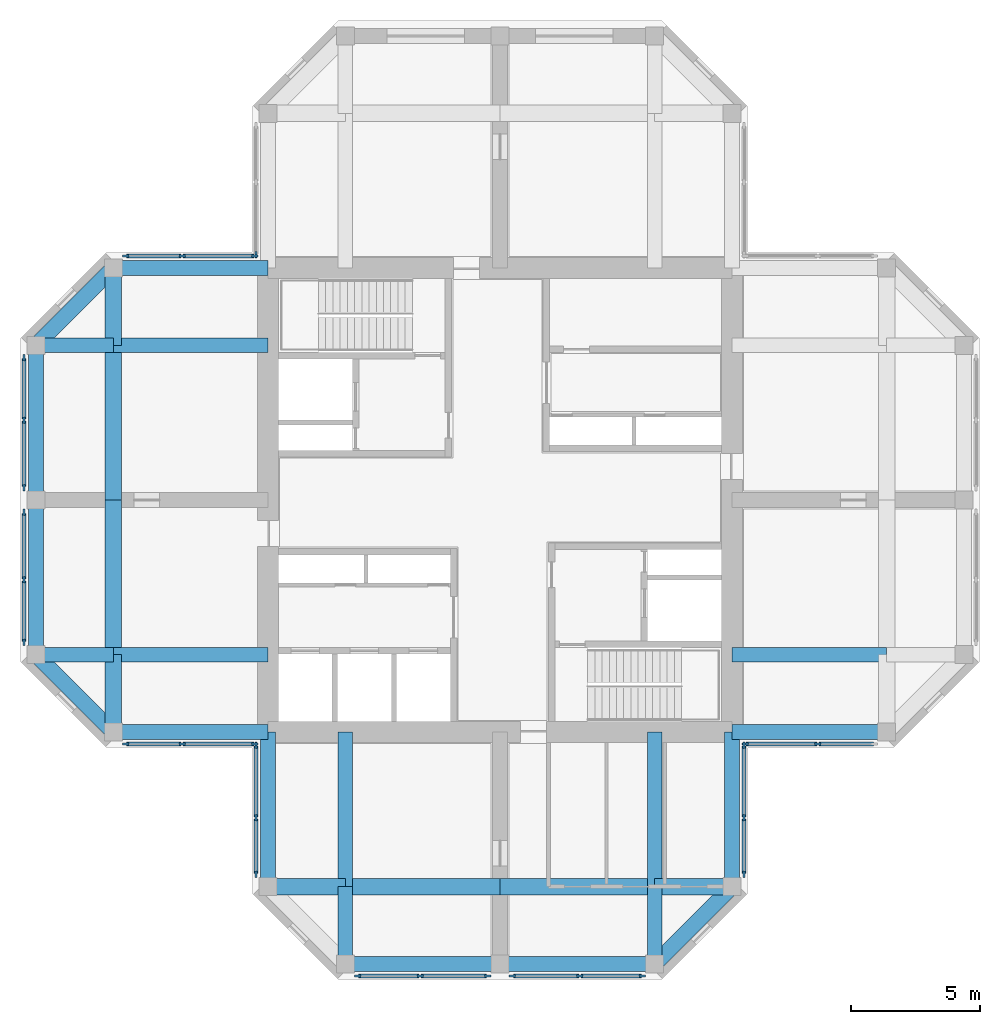
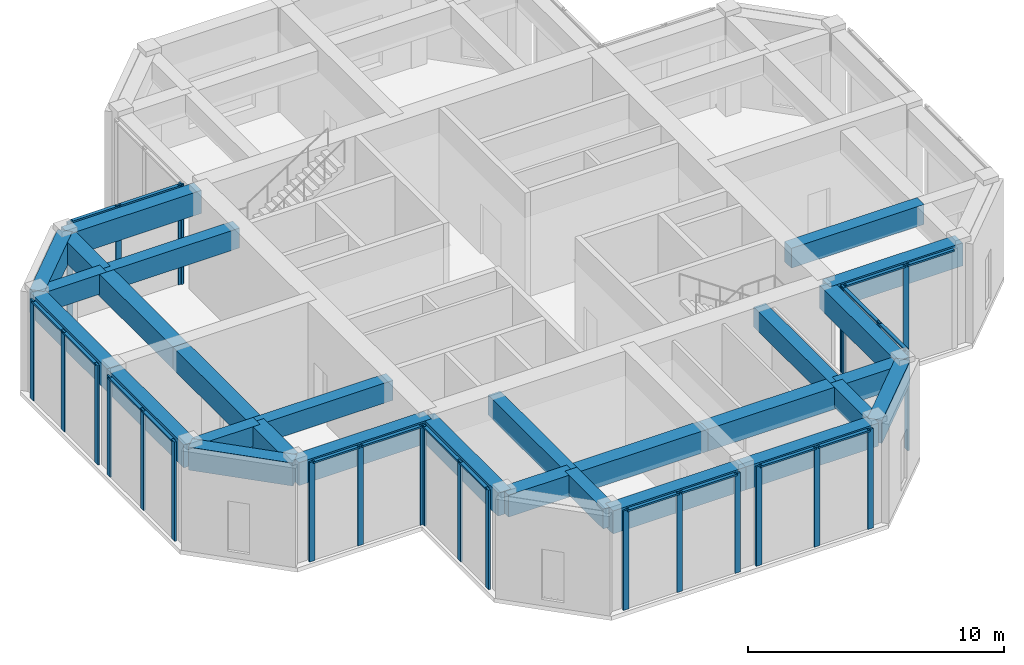
# One storey, part 2 of 8: 45 members, 29 beams, 8 elements without a shape of their own.
"""IFC4 building model written with IfcOpenShell, lengths in metres."""

from ifc_helpers import new_model, si_unit, direction, frame, origin, origin_2d, place, context, subcontext, project, spatial, rectangle, extrude, material, material_profile, profile_set, type_object, element, aggregate, save


model = new_model("IFC4")

# Units and contexts
model_context = context("Model", 3, precision=1e-05, world=origin(), true_north=direction((0.0, 1.0)))
body_context = subcontext(model_context, "Body", "Model", "MODEL_VIEW")
ifc_project = project(units=[si_unit("LENGTHUNIT", "METRE"), si_unit("AREAUNIT", "SQUARE_METRE"), si_unit("VOLUMEUNIT", "CUBIC_METRE"), si_unit("PLANEANGLEUNIT", "RADIAN"), si_unit("MASSUNIT", "GRAM", prefix="KILO")], contexts=[model_context])

# Site, building, storey
site_placement = place(None, origin())
site = spatial("IfcSite", under=ifc_project, at=site_placement, CompositionType="ELEMENT")
building_placement = place(site_placement, origin())
building = spatial("IfcBuilding", under=site, at=building_placement, Name="Torre Cruceta", CompositionType="ELEMENT")
storey_placement = place(building_placement, frame((0.0, 0.0, 288.300048828125)))
storey = spatial("IfcBuildingStorey", under=building, at=storey_placement, Name="L75", CompositionType="ELEMENT", Elevation=288.300048828125)

# Beams
ifc_material_1 = material(Name="Concrete G60 (fck 60 MPa)", Category="concrete")
ifc_material_profile_1 = material_profile(ifc_material_1, rectangle(XDim=0.550048828125, YDim=0.949951171875, at=origin_2d()), Name="RC 550X950")
ifc_profile_set_1 = profile_set([ifc_material_profile_1], Name="Concrete G60 (fck 60 MPa)")
beam_type_1 = type_object("IfcBeamType", Name="COLUMN LINE BEAM RC 550X950", PredefinedType="BEAM", material=ifc_profile_set_1)
for number, where, z_axis, x_axis, name in (
    (1, (9.0, -6.0, 4.27490234375), (1.0, 0.0, 0.0), (0.0, 1.0, 0.0), "LB3 L75 E col- 1"),
    (2, (-6.0, -9.0, 4.27490234375), (0.0, -1.0, 0.0), (1.0, 0.0, 0.0), "LB3 L75 S col- 1"),
):
    element("IfcBeam", number, at=place(storey_placement, frame(where, z_axis=z_axis, x_axis=x_axis)), inside=storey, type_object=beam_type_1, Name=name, PredefinedType="BEAM", context=body_context, shape_type="SweptSolid", body=[
        extrude(rectangle(XDim=0.550048828125, YDim=0.949951171875, at=origin_2d()), origin(), (0.0, 0.0, 1.0), 6.0),
    ])
beam_1_placement = place(storey_placement, frame((-6.0, -15.0, 4.27490234375), z_axis=(0.0, -1.0, 0.0), x_axis=(1.0, 0.0, 0.0)))
element("IfcBeam", 3, at=beam_1_placement, inside=storey, type_object=beam_type_1, Name="LB3 L75 S col- 2", PredefinedType="BEAM", context=body_context, shape_type="SweptSolid", body=[
    extrude(rectangle(XDim=0.550048828125, YDim=0.949951171875, at=origin_2d()), origin(), (0.0, 0.0, 1.0), 3.0),
])
beam_2_placement = place(storey_placement, frame((6.0, -9.0, 4.27490234375), z_axis=(0.0, -1.0, 0.0), x_axis=(1.0, 0.0, 0.0)))
element("IfcBeam", 4, at=beam_2_placement, inside=storey, type_object=beam_type_1, Name="LB3 L75 S col+ 1", PredefinedType="BEAM", context=body_context, shape_type="SweptSolid", body=[
    extrude(rectangle(XDim=0.550048828125, YDim=0.949951171875, at=origin_2d()), origin(), (0.0, 0.0, 1.0), 6.0),
])
beam_3_placement = place(storey_placement, frame((6.0, -15.0, 4.27490234375), z_axis=(0.0, -1.0, 0.0), x_axis=(1.0, 0.0, 0.0)))
element("IfcBeam", 5, at=beam_3_placement, inside=storey, type_object=beam_type_1, Name="LB3 L75 S col+ 2", PredefinedType="BEAM", context=body_context, shape_type="SweptSolid", body=[
    extrude(rectangle(XDim=0.550048828125, YDim=0.949951171875, at=origin_2d()), origin(), (0.0, 0.0, 1.0), 3.0),
])
beam_4_placement = place(storey_placement, frame((-9.0, 6.0, 4.27490234375), z_axis=(-1.0, 0.0, 0.0), x_axis=(0.0, -1.0, 0.0)))
element("IfcBeam", 6, at=beam_4_placement, inside=storey, type_object=beam_type_1, Name="LB3 L75 W col- 1", PredefinedType="BEAM", context=body_context, shape_type="SweptSolid", body=[
    extrude(rectangle(XDim=0.550048828125, YDim=0.949951171875, at=origin_2d()), origin(), (0.0, 0.0, 1.0), 6.0),
])
beam_5_placement = place(storey_placement, frame((-15.0, 6.0, 4.27490234375), z_axis=(-1.0, 0.0, 0.0), x_axis=(0.0, -1.0, 0.0)))
element("IfcBeam", 7, at=beam_5_placement, inside=storey, type_object=beam_type_1, Name="LB3 L75 W col- 2", PredefinedType="BEAM", context=body_context, shape_type="SweptSolid", body=[
    extrude(rectangle(XDim=0.550048828125, YDim=0.949951171875, at=origin_2d()), origin(), (0.0, 0.0, 1.0), 3.0),
])
beam_6_placement = place(storey_placement, frame((-9.0, -6.0, 4.27490234375), z_axis=(-1.0, 0.0, 0.0), x_axis=(0.0, -1.0, 0.0)))
element("IfcBeam", 8, at=beam_6_placement, inside=storey, type_object=beam_type_1, Name="LB3 L75 W col+ 1", PredefinedType="BEAM", context=body_context, shape_type="SweptSolid", body=[
    extrude(rectangle(XDim=0.550048828125, YDim=0.949951171875, at=origin_2d()), origin(), (0.0, 0.0, 1.0), 6.0),
])
beam_7_placement = place(storey_placement, frame((-15.0, -6.0, 4.27490234375), z_axis=(-1.0, 0.0, 0.0), x_axis=(0.0, -1.0, 0.0)))
element("IfcBeam", 9, at=beam_7_placement, inside=storey, type_object=beam_type_1, Name="LB3 L75 W col+ 2", PredefinedType="BEAM", context=body_context, shape_type="SweptSolid", body=[
    extrude(rectangle(XDim=0.550048828125, YDim=0.949951171875, at=origin_2d()), origin(), (0.0, 0.0, 1.0), 3.0),
])
ifc_material_2 = material(Name="Concrete G60 (fck 60 MPa)", Category="concrete")
ifc_material_profile_2 = material_profile(ifc_material_2, rectangle(XDim=0.64990234375, YDim=1.050048828125, at=origin_2d()), Name="RC 650X1050")
ifc_profile_set_2 = profile_set([ifc_material_profile_2], Name="Concrete G60 (fck 60 MPa)")
beam_type_2 = type_object("IfcBeamType", Name="CROSS BEAM RC 650X1050", PredefinedType="BEAM", material=ifc_profile_set_2)
beam_8_placement = place(storey_placement, frame((-9.0, -15.0, 4.224853515625), z_axis=(1.0, 0.0, 0.0), x_axis=(0.0, 1.0, 0.0)))
element("IfcBeam", 10, at=beam_8_placement, inside=storey, type_object=beam_type_2, Name="GB3 L75 S cross15 1", PredefinedType="BEAM", context=body_context, shape_type="SweptSolid", body=[
    extrude(rectangle(XDim=0.64990234375, YDim=1.050048828125, at=origin_2d()), origin(), (0.0, 0.0, 1.0), 3.0),
])
for number, where, z_axis, x_axis, name in (
    (11, (-6.0, -15.0, 4.224853515625), (1.0, 0.0, 0.0), (0.0, 1.0, 0.0), "GB3 L75 S cross15 2"),
    (12, (0.0, -15.0, 4.224853515625), (1.0, 0.0, 0.0), (0.0, 1.0, 0.0), "GB3 L75 S cross15 3"),
):
    element("IfcBeam", number, at=place(storey_placement, frame(where, z_axis=z_axis, x_axis=x_axis)), inside=storey, type_object=beam_type_2, Name=name, PredefinedType="BEAM", context=body_context, shape_type="SweptSolid", body=[
        extrude(rectangle(XDim=0.64990234375, YDim=1.050048828125, at=origin_2d()), origin(), (0.0, 0.0, 1.0), 6.0),
    ])
for number, where, z_axis, x_axis, name in (
    (13, (6.0, -15.0, 4.224853515625), (1.0, 0.0, 0.0), (0.0, 1.0, 0.0), "GB3 L75 S cross15 4"),
    (14, (-15.0, 9.0, 4.224853515625), (0.0, -1.0, 0.0), (1.0, 0.0, 0.0), "GB3 L75 W cross15 1"),
):
    element("IfcBeam", number, at=place(storey_placement, frame(where, z_axis=z_axis, x_axis=x_axis)), inside=storey, type_object=beam_type_2, Name=name, PredefinedType="BEAM", context=body_context, shape_type="SweptSolid", body=[
        extrude(rectangle(XDim=0.64990234375, YDim=1.050048828125, at=origin_2d()), origin(), (0.0, 0.0, 1.0), 3.0),
    ])
for number, where, z_axis, x_axis, name in (
    (15, (-15.0, 6.0, 4.224853515625), (0.0, -1.0, 0.0), (1.0, 0.0, 0.0), "GB3 L75 W cross15 2"),
    (16, (-15.0, 0.0, 4.224853515625), (0.0, -1.0, 0.0), (1.0, 0.0, 0.0), "GB3 L75 W cross15 3"),
):
    element("IfcBeam", number, at=place(storey_placement, frame(where, z_axis=z_axis, x_axis=x_axis)), inside=storey, type_object=beam_type_2, Name=name, PredefinedType="BEAM", context=body_context, shape_type="SweptSolid", body=[
        extrude(rectangle(XDim=0.64990234375, YDim=1.050048828125, at=origin_2d()), origin(), (0.0, 0.0, 1.0), 6.0),
    ])
beam_9_placement = place(storey_placement, frame((-15.0, -6.0, 4.224853515625), z_axis=(0.0, -1.0, 0.0), x_axis=(1.0, 0.0, 0.0)))
element("IfcBeam", 17, at=beam_9_placement, inside=storey, type_object=beam_type_2, Name="GB3 L75 W cross15 4", PredefinedType="BEAM", context=body_context, shape_type="SweptSolid", body=[
    extrude(rectangle(XDim=0.64990234375, YDim=1.050048828125, at=origin_2d()), origin(), (0.0, 0.0, 1.0), 3.0),
])

# Curtain wall, members
ifc_material_3 = material(Name="Aluminium unitised curtain wall", Category="aluminium")
curtain_wall_type = type_object("IfcCurtainWallType", Name="CURTAIN WALL CW-S SKY GARDEN", PredefinedType="USERDEFINED", material=ifc_material_3)
curtain_wall_1_placement = place(storey_placement, origin())
curtain_wall_1 = element("IfcCurtainWall", 18, at=curtain_wall_1_placement, inside=storey, type_object=curtain_wall_type, Name="CW-S L75 E side 00", ObjectType="UNITISED", PredefinedType="USERDEFINED")
ifc_material_4 = material(Name="Aluminium mullion", Category="aluminium")
ifc_material_profile_3 = material_profile(ifc_material_4, rectangle(XDim=0.080078125, YDim=0.25, at=origin_2d()), Name="AL 80X250")
ifc_profile_set_3 = profile_set([ifc_material_profile_3], Name="Aluminium mullion")
member_type_1 = type_object("IfcMemberType", Name="CW-S MULLION 80X250", PredefinedType="MULLION", material=ifc_profile_set_3)
member_1_placement = place(storey_placement, frame((9.510009765625, -9.469970703125, 0.0), z_axis=(0.0, 0.0, 1.0), x_axis=(0.0, 1.0, 0.0)))
member_1 = element("IfcMember", 19, at=member_1_placement, type_object=member_type_1, Name="CW-S mullion 1", PredefinedType="MULLION", context=body_context, shape_type="SweptSolid", body=[
    extrude(rectangle(XDim=0.080078125, YDim=0.25, at=origin_2d()), origin(), (0.0, 0.0, 1.0), 4.75),
])
member_2_placement = place(storey_placement, frame((12.332275390625, -9.469970703125, 0.0), z_axis=(0.0, 0.0, 1.0), x_axis=(0.0, 1.0, 0.0)))
member_2 = element("IfcMember", 20, at=member_2_placement, type_object=member_type_1, Name="CW-S mullion 2", PredefinedType="MULLION", context=body_context, shape_type="SweptSolid", body=[
    extrude(rectangle(XDim=0.080078125, YDim=0.25, at=origin_2d()), origin(), (0.0, 0.0, 1.0), 4.75),
])

# Curtain wall, member
curtain_wall_2_placement = place(storey_placement, origin())
curtain_wall_2 = element("IfcCurtainWall", 21, at=curtain_wall_2_placement, inside=storey, type_object=curtain_wall_type, Name="CW-S L75 N side 09", ObjectType="UNITISED", PredefinedType="USERDEFINED")
member_3_placement = place(storey_placement, frame((-9.469970703125, 9.510009765625, 0.0), z_axis=(0.0, 0.0, 1.0), x_axis=(1.0, 0.0, 0.0)))
member_3 = element("IfcMember", 22, at=member_3_placement, type_object=member_type_1, Name="CW-S mullion 3", PredefinedType="MULLION", context=body_context, shape_type="SweptSolid", body=[
    extrude(rectangle(XDim=0.080078125, YDim=0.25, at=origin_2d()), origin(), (0.0, 0.0, 1.0), 4.75),
])
aggregate(curtain_wall_2, [member_3])

# Curtain wall, members
curtain_wall_3_placement = place(storey_placement, origin())
curtain_wall_3 = element("IfcCurtainWall", 23, at=curtain_wall_3_placement, inside=storey, type_object=curtain_wall_type, Name="CW-S L75 W side 10", ObjectType="UNITISED", PredefinedType="USERDEFINED")
member_4_placement = place(storey_placement, frame((-9.510009765625, 9.469970703125, 0.0), z_axis=(0.0, 0.0, 1.0), x_axis=(0.0, -1.0, 0.0)))
member_4 = element("IfcMember", 24, at=member_4_placement, type_object=member_type_1, Name="CW-S mullion 1", PredefinedType="MULLION", context=body_context, shape_type="SweptSolid", body=[
    extrude(rectangle(XDim=0.080078125, YDim=0.25, at=origin_2d()), origin(), (0.0, 0.0, 1.0), 4.75),
])
member_5_placement = place(storey_placement, frame((-12.332275390625, 9.469970703125, 0.0), z_axis=(0.0, 0.0, 1.0), x_axis=(0.0, -1.0, 0.0)))
member_5 = element("IfcMember", 25, at=member_5_placement, type_object=member_type_1, Name="CW-S mullion 2", PredefinedType="MULLION", context=body_context, shape_type="SweptSolid", body=[
    extrude(rectangle(XDim=0.080078125, YDim=0.25, at=origin_2d()), origin(), (0.0, 0.0, 1.0), 4.75),
])
member_6_placement = place(storey_placement, frame((-14.52392578125, 9.469970703125, 0.0), z_axis=(0.0, 0.0, 1.0), x_axis=(0.0, -1.0, 0.0)))
member_6 = element("IfcMember", 26, at=member_6_placement, type_object=member_type_1, Name="CW-S mullion 3", PredefinedType="MULLION", context=body_context, shape_type="SweptSolid", body=[
    extrude(rectangle(XDim=0.080078125, YDim=0.25, at=origin_2d()), origin(), (0.0, 0.0, 1.0), 4.75),
])

curtain_wall_4_placement = place(storey_placement, origin())
curtain_wall_4 = element("IfcCurtainWall", 27, at=curtain_wall_4_placement, inside=storey, type_object=curtain_wall_type, Name="CW-S L75 W tip 12", ObjectType="UNITISED", PredefinedType="USERDEFINED")
member_7_placement = place(storey_placement, frame((-18.469970703125, 5.52392578125, 0.0), z_axis=(0.0, 0.0, 1.0), x_axis=(1.0, 0.0, 0.0)))
member_7 = element("IfcMember", 28, at=member_7_placement, type_object=member_type_1, Name="CW-S mullion 1", PredefinedType="MULLION", context=body_context, shape_type="SweptSolid", body=[
    extrude(rectangle(XDim=0.080078125, YDim=0.25, at=origin_2d()), origin(), (0.0, 0.0, 1.0), 4.75),
])
member_8_placement = place(storey_placement, frame((-18.469970703125, 3.097412109375, 0.0), z_axis=(0.0, 0.0, 1.0), x_axis=(1.0, 0.0, 0.0)))
member_8 = element("IfcMember", 29, at=member_8_placement, type_object=member_type_1, Name="CW-S mullion 2", PredefinedType="MULLION", context=body_context, shape_type="SweptSolid", body=[
    extrude(rectangle(XDim=0.080078125, YDim=0.25, at=origin_2d()), origin(), (0.0, 0.0, 1.0), 4.75),
])
member_9_placement = place(storey_placement, frame((-18.469970703125, 0.47607421875, 0.0), z_axis=(0.0, 0.0, 1.0), x_axis=(1.0, 0.0, 0.0)))
member_9 = element("IfcMember", 30, at=member_9_placement, type_object=member_type_1, Name="CW-S mullion 3", PredefinedType="MULLION", context=body_context, shape_type="SweptSolid", body=[
    extrude(rectangle(XDim=0.080078125, YDim=0.25, at=origin_2d()), origin(), (0.0, 0.0, 1.0), 4.75),
])
member_10_placement = place(storey_placement, frame((-18.469970703125, -0.47607421875, 0.0), z_axis=(0.0, 0.0, 1.0), x_axis=(1.0, 0.0, 0.0)))
member_10 = element("IfcMember", 31, at=member_10_placement, type_object=member_type_1, Name="CW-S mullion 4", PredefinedType="MULLION", context=body_context, shape_type="SweptSolid", body=[
    extrude(rectangle(XDim=0.080078125, YDim=0.25, at=origin_2d()), origin(), (0.0, 0.0, 1.0), 4.75),
])
member_11_placement = place(storey_placement, frame((-18.469970703125, -3.097412109375, 0.0), z_axis=(0.0, 0.0, 1.0), x_axis=(1.0, 0.0, 0.0)))
member_11 = element("IfcMember", 32, at=member_11_placement, type_object=member_type_1, Name="CW-S mullion 5", PredefinedType="MULLION", context=body_context, shape_type="SweptSolid", body=[
    extrude(rectangle(XDim=0.080078125, YDim=0.25, at=origin_2d()), origin(), (0.0, 0.0, 1.0), 4.75),
])
member_12_placement = place(storey_placement, frame((-18.469970703125, -5.52392578125, 0.0), z_axis=(0.0, 0.0, 1.0), x_axis=(1.0, 0.0, 0.0)))
member_12 = element("IfcMember", 33, at=member_12_placement, type_object=member_type_1, Name="CW-S mullion 6", PredefinedType="MULLION", context=body_context, shape_type="SweptSolid", body=[
    extrude(rectangle(XDim=0.080078125, YDim=0.25, at=origin_2d()), origin(), (0.0, 0.0, 1.0), 4.75),
])

curtain_wall_5_placement = place(storey_placement, origin())
curtain_wall_5 = element("IfcCurtainWall", 34, at=curtain_wall_5_placement, inside=storey, type_object=curtain_wall_type, Name="CW-S L75 W side 14", ObjectType="UNITISED", PredefinedType="USERDEFINED")
member_13_placement = place(storey_placement, frame((-14.52392578125, -9.469970703125, 0.0), z_axis=(0.0, 0.0, 1.0), x_axis=(0.0, 1.0, 0.0)))
member_13 = element("IfcMember", 35, at=member_13_placement, type_object=member_type_1, Name="CW-S mullion 1", PredefinedType="MULLION", context=body_context, shape_type="SweptSolid", body=[
    extrude(rectangle(XDim=0.080078125, YDim=0.25, at=origin_2d()), origin(), (0.0, 0.0, 1.0), 4.75),
])
member_14_placement = place(storey_placement, frame((-12.332275390625, -9.469970703125, 0.0), z_axis=(0.0, 0.0, 1.0), x_axis=(0.0, 1.0, 0.0)))
member_14 = element("IfcMember", 36, at=member_14_placement, type_object=member_type_1, Name="CW-S mullion 2", PredefinedType="MULLION", context=body_context, shape_type="SweptSolid", body=[
    extrude(rectangle(XDim=0.080078125, YDim=0.25, at=origin_2d()), origin(), (0.0, 0.0, 1.0), 4.75),
])
member_15_placement = place(storey_placement, frame((-9.510009765625, -9.469970703125, 0.0), z_axis=(0.0, 0.0, 1.0), x_axis=(0.0, 1.0, 0.0)))
member_15 = element("IfcMember", 37, at=member_15_placement, type_object=member_type_1, Name="CW-S mullion 3", PredefinedType="MULLION", context=body_context, shape_type="SweptSolid", body=[
    extrude(rectangle(XDim=0.080078125, YDim=0.25, at=origin_2d()), origin(), (0.0, 0.0, 1.0), 4.75),
])

curtain_wall_6_placement = place(storey_placement, origin())
curtain_wall_6 = element("IfcCurtainWall", 38, at=curtain_wall_6_placement, inside=storey, type_object=curtain_wall_type, Name="CW-S L75 S side 15", ObjectType="UNITISED", PredefinedType="USERDEFINED")
member_16_placement = place(storey_placement, frame((-9.469970703125, -9.510009765625, 0.0), z_axis=(0.0, 0.0, 1.0), x_axis=(1.0, 0.0, 0.0)))
member_16 = element("IfcMember", 39, at=member_16_placement, type_object=member_type_1, Name="CW-S mullion 1", PredefinedType="MULLION", context=body_context, shape_type="SweptSolid", body=[
    extrude(rectangle(XDim=0.080078125, YDim=0.25, at=origin_2d()), origin(), (0.0, 0.0, 1.0), 4.75),
])
member_17_placement = place(storey_placement, frame((-9.469970703125, -12.332275390625, 0.0), z_axis=(0.0, 0.0, 1.0), x_axis=(1.0, 0.0, 0.0)))
member_17 = element("IfcMember", 40, at=member_17_placement, type_object=member_type_1, Name="CW-S mullion 2", PredefinedType="MULLION", context=body_context, shape_type="SweptSolid", body=[
    extrude(rectangle(XDim=0.080078125, YDim=0.25, at=origin_2d()), origin(), (0.0, 0.0, 1.0), 4.75),
])
member_18_placement = place(storey_placement, frame((-9.469970703125, -14.52392578125, 0.0), z_axis=(0.0, 0.0, 1.0), x_axis=(1.0, 0.0, 0.0)))
member_18 = element("IfcMember", 41, at=member_18_placement, type_object=member_type_1, Name="CW-S mullion 3", PredefinedType="MULLION", context=body_context, shape_type="SweptSolid", body=[
    extrude(rectangle(XDim=0.080078125, YDim=0.25, at=origin_2d()), origin(), (0.0, 0.0, 1.0), 4.75),
])

curtain_wall_7_placement = place(storey_placement, origin())
curtain_wall_7 = element("IfcCurtainWall", 42, at=curtain_wall_7_placement, inside=storey, type_object=curtain_wall_type, Name="CW-S L75 S tip 17", ObjectType="UNITISED", PredefinedType="USERDEFINED")
member_19_placement = place(storey_placement, frame((-5.52392578125, -18.469970703125, 0.0), z_axis=(0.0, 0.0, 1.0), x_axis=(0.0, 1.0, 0.0)))
member_19 = element("IfcMember", 43, at=member_19_placement, type_object=member_type_1, Name="CW-S mullion 1", PredefinedType="MULLION", context=body_context, shape_type="SweptSolid", body=[
    extrude(rectangle(XDim=0.080078125, YDim=0.25, at=origin_2d()), origin(), (0.0, 0.0, 1.0), 4.75),
])
member_20_placement = place(storey_placement, frame((-3.097412109375, -18.469970703125, 0.0), z_axis=(0.0, 0.0, 1.0), x_axis=(0.0, 1.0, 0.0)))
member_20 = element("IfcMember", 44, at=member_20_placement, type_object=member_type_1, Name="CW-S mullion 2", PredefinedType="MULLION", context=body_context, shape_type="SweptSolid", body=[
    extrude(rectangle(XDim=0.080078125, YDim=0.25, at=origin_2d()), origin(), (0.0, 0.0, 1.0), 4.75),
])
member_21_placement = place(storey_placement, frame((-0.47607421875, -18.469970703125, 0.0), z_axis=(0.0, 0.0, 1.0), x_axis=(0.0, 1.0, 0.0)))
member_21 = element("IfcMember", 45, at=member_21_placement, type_object=member_type_1, Name="CW-S mullion 3", PredefinedType="MULLION", context=body_context, shape_type="SweptSolid", body=[
    extrude(rectangle(XDim=0.080078125, YDim=0.25, at=origin_2d()), origin(), (0.0, 0.0, 1.0), 4.75),
])
member_22_placement = place(storey_placement, frame((0.47607421875, -18.469970703125, 0.0), z_axis=(0.0, 0.0, 1.0), x_axis=(0.0, 1.0, 0.0)))
member_22 = element("IfcMember", 46, at=member_22_placement, type_object=member_type_1, Name="CW-S mullion 4", PredefinedType="MULLION", context=body_context, shape_type="SweptSolid", body=[
    extrude(rectangle(XDim=0.080078125, YDim=0.25, at=origin_2d()), origin(), (0.0, 0.0, 1.0), 4.75),
])
member_23_placement = place(storey_placement, frame((3.097412109375, -18.469970703125, 0.0), z_axis=(0.0, 0.0, 1.0), x_axis=(0.0, 1.0, 0.0)))
member_23 = element("IfcMember", 47, at=member_23_placement, type_object=member_type_1, Name="CW-S mullion 5", PredefinedType="MULLION", context=body_context, shape_type="SweptSolid", body=[
    extrude(rectangle(XDim=0.080078125, YDim=0.25, at=origin_2d()), origin(), (0.0, 0.0, 1.0), 4.75),
])
member_24_placement = place(storey_placement, frame((5.52392578125, -18.469970703125, 0.0), z_axis=(0.0, 0.0, 1.0), x_axis=(0.0, 1.0, 0.0)))
member_24 = element("IfcMember", 48, at=member_24_placement, type_object=member_type_1, Name="CW-S mullion 6", PredefinedType="MULLION", context=body_context, shape_type="SweptSolid", body=[
    extrude(rectangle(XDim=0.080078125, YDim=0.25, at=origin_2d()), origin(), (0.0, 0.0, 1.0), 4.75),
])

curtain_wall_8_placement = place(storey_placement, origin())
curtain_wall_8 = element("IfcCurtainWall", 49, at=curtain_wall_8_placement, inside=storey, type_object=curtain_wall_type, Name="CW-S L75 S side 19", ObjectType="UNITISED", PredefinedType="USERDEFINED")
member_25_placement = place(storey_placement, frame((9.469970703125, -14.52392578125, 0.0), z_axis=(0.0, 0.0, 1.0), x_axis=(-1.0, 0.0, 0.0)))
member_25 = element("IfcMember", 50, at=member_25_placement, type_object=member_type_1, Name="CW-S mullion 1", PredefinedType="MULLION", context=body_context, shape_type="SweptSolid", body=[
    extrude(rectangle(XDim=0.080078125, YDim=0.25, at=origin_2d()), origin(), (0.0, 0.0, 1.0), 4.75),
])
member_26_placement = place(storey_placement, frame((9.469970703125, -12.332275390625, 0.0), z_axis=(0.0, 0.0, 1.0), x_axis=(-1.0, 0.0, 0.0)))
member_26 = element("IfcMember", 51, at=member_26_placement, type_object=member_type_1, Name="CW-S mullion 2", PredefinedType="MULLION", context=body_context, shape_type="SweptSolid", body=[
    extrude(rectangle(XDim=0.080078125, YDim=0.25, at=origin_2d()), origin(), (0.0, 0.0, 1.0), 4.75),
])
member_27_placement = place(storey_placement, frame((9.469970703125, -9.510009765625, 0.0), z_axis=(0.0, 0.0, 1.0), x_axis=(-1.0, 0.0, 0.0)))
member_27 = element("IfcMember", 52, at=member_27_placement, type_object=member_type_1, Name="CW-S mullion 3", PredefinedType="MULLION", context=body_context, shape_type="SweptSolid", body=[
    extrude(rectangle(XDim=0.080078125, YDim=0.25, at=origin_2d()), origin(), (0.0, 0.0, 1.0), 4.75),
])

# Member
ifc_material_5 = material(Name="Aluminium transom", Category="aluminium")
ifc_material_profile_4 = material_profile(ifc_material_5, rectangle(XDim=0.14990234375, YDim=0.080078125, at=origin_2d()), Name="AL 150X80")
ifc_profile_set_4 = profile_set([ifc_material_profile_4], Name="Aluminium transom")
member_type_2 = type_object("IfcMemberType", Name="CW-S TRANSOM 80X150", PredefinedType="USERDEFINED", material=ifc_profile_set_4)
member_28_placement = place(storey_placement, frame((9.550048828125, -9.469970703125, 4.7099609375), z_axis=(1.0, 0.0, 0.0), x_axis=(0.0, 1.0, 0.0)))
member_28 = element("IfcMember", 53, at=member_28_placement, type_object=member_type_2, Name="CW-S transom 1", ObjectType="TRANSOM", PredefinedType="USERDEFINED", context=body_context, shape_type="SweptSolid", body=[
    extrude(rectangle(XDim=0.14990234375, YDim=0.080078125, at=origin_2d()), origin(), (0.0, 0.0, 1.0), 2.7421875),
])

member_29_placement = place(storey_placement, frame((12.372314453125, -9.469970703125, 4.7099609375), z_axis=(1.0, 0.0, 0.0), x_axis=(0.0, 1.0, 0.0)))
member_29 = element("IfcMember", 54, at=member_29_placement, type_object=member_type_2, Name="CW-S transom 2", ObjectType="TRANSOM", PredefinedType="USERDEFINED", context=body_context, shape_type="SweptSolid", body=[
    extrude(rectangle(XDim=0.14990234375, YDim=0.080078125, at=origin_2d()), origin(), (0.0, 0.0, 1.0), 2.111572265625),
])

aggregate(curtain_wall_1, [member_1, member_2, member_28, member_29])

member_30_placement = place(storey_placement, frame((-9.550048828125, 9.469970703125, 4.7099609375), z_axis=(-1.0, 0.0, 0.0), x_axis=(0.0, -1.0, 0.0)))
member_30 = element("IfcMember", 55, at=member_30_placement, type_object=member_type_2, Name="CW-S transom 1", ObjectType="TRANSOM", PredefinedType="USERDEFINED", context=body_context, shape_type="SweptSolid", body=[
    extrude(rectangle(XDim=0.14990234375, YDim=0.080078125, at=origin_2d()), origin(), (0.0, 0.0, 1.0), 2.7421875),
])

member_31_placement = place(storey_placement, frame((-12.372314453125, 9.469970703125, 4.7099609375), z_axis=(-1.0, 0.0, 0.0), x_axis=(0.0, -1.0, 0.0)))
member_31 = element("IfcMember", 56, at=member_31_placement, type_object=member_type_2, Name="CW-S transom 2", ObjectType="TRANSOM", PredefinedType="USERDEFINED", context=body_context, shape_type="SweptSolid", body=[
    extrude(rectangle(XDim=0.14990234375, YDim=0.080078125, at=origin_2d()), origin(), (0.0, 0.0, 1.0), 2.111572265625),
])

aggregate(curtain_wall_3, [member_4, member_5, member_6, member_30, member_31])

member_32_placement = place(storey_placement, frame((-18.469970703125, 5.48388671875, 4.7099609375), z_axis=(0.0, -1.0, 0.0), x_axis=(1.0, 0.0, 0.0)))
member_32 = element("IfcMember", 57, at=member_32_placement, type_object=member_type_2, Name="CW-S transom 1", ObjectType="TRANSOM", PredefinedType="USERDEFINED", context=body_context, shape_type="SweptSolid", body=[
    extrude(rectangle(XDim=0.14990234375, YDim=0.080078125, at=origin_2d()), origin(), (0.0, 0.0, 1.0), 2.346435546875),
])

member_33_placement = place(storey_placement, frame((-18.469970703125, 3.057373046875, 4.7099609375), z_axis=(0.0, -1.0, 0.0), x_axis=(1.0, 0.0, 0.0)))
member_33 = element("IfcMember", 58, at=member_33_placement, type_object=member_type_2, Name="CW-S transom 2", ObjectType="TRANSOM", PredefinedType="USERDEFINED", context=body_context, shape_type="SweptSolid", body=[
    extrude(rectangle(XDim=0.14990234375, YDim=0.080078125, at=origin_2d()), origin(), (0.0, 0.0, 1.0), 2.541259765625),
])

member_34_placement = place(storey_placement, frame((-18.469970703125, -0.51611328125, 4.7099609375), z_axis=(0.0, -1.0, 0.0), x_axis=(1.0, 0.0, 0.0)))
member_34 = element("IfcMember", 59, at=member_34_placement, type_object=member_type_2, Name="CW-S transom 3", ObjectType="TRANSOM", PredefinedType="USERDEFINED", context=body_context, shape_type="SweptSolid", body=[
    extrude(rectangle(XDim=0.14990234375, YDim=0.080078125, at=origin_2d()), origin(), (0.0, 0.0, 1.0), 2.541259765625),
])

member_35_placement = place(storey_placement, frame((-18.469970703125, -3.137451171875, 4.7099609375), z_axis=(0.0, -1.0, 0.0), x_axis=(1.0, 0.0, 0.0)))
member_35 = element("IfcMember", 60, at=member_35_placement, type_object=member_type_2, Name="CW-S transom 4", ObjectType="TRANSOM", PredefinedType="USERDEFINED", context=body_context, shape_type="SweptSolid", body=[
    extrude(rectangle(XDim=0.14990234375, YDim=0.080078125, at=origin_2d()), origin(), (0.0, 0.0, 1.0), 2.346435546875),
])

aggregate(curtain_wall_4, [member_7, member_8, member_9, member_10, member_11, member_12, member_32, member_33, member_34, member_35])

member_36_placement = place(storey_placement, frame((-14.48388671875, -9.469970703125, 4.7099609375), z_axis=(1.0, 0.0, 0.0), x_axis=(0.0, 1.0, 0.0)))
member_36 = element("IfcMember", 61, at=member_36_placement, type_object=member_type_2, Name="CW-S transom 1", ObjectType="TRANSOM", PredefinedType="USERDEFINED", context=body_context, shape_type="SweptSolid", body=[
    extrude(rectangle(XDim=0.14990234375, YDim=0.080078125, at=origin_2d()), origin(), (0.0, 0.0, 1.0), 2.111572265625),
])

member_37_placement = place(storey_placement, frame((-12.292236328125, -9.469970703125, 4.7099609375), z_axis=(1.0, 0.0, 0.0), x_axis=(0.0, 1.0, 0.0)))
member_37 = element("IfcMember", 62, at=member_37_placement, type_object=member_type_2, Name="CW-S transom 2", ObjectType="TRANSOM", PredefinedType="USERDEFINED", context=body_context, shape_type="SweptSolid", body=[
    extrude(rectangle(XDim=0.14990234375, YDim=0.080078125, at=origin_2d()), origin(), (0.0, 0.0, 1.0), 2.7421875),
])

aggregate(curtain_wall_5, [member_13, member_14, member_15, member_36, member_37])

member_38_placement = place(storey_placement, frame((-9.469970703125, -9.550048828125, 4.7099609375), z_axis=(0.0, -1.0, 0.0), x_axis=(1.0, 0.0, 0.0)))
member_38 = element("IfcMember", 63, at=member_38_placement, type_object=member_type_2, Name="CW-S transom 1", ObjectType="TRANSOM", PredefinedType="USERDEFINED", context=body_context, shape_type="SweptSolid", body=[
    extrude(rectangle(XDim=0.14990234375, YDim=0.080078125, at=origin_2d()), origin(), (0.0, 0.0, 1.0), 2.7421875),
])

member_39_placement = place(storey_placement, frame((-9.469970703125, -12.372314453125, 4.7099609375), z_axis=(0.0, -1.0, 0.0), x_axis=(1.0, 0.0, 0.0)))
member_39 = element("IfcMember", 64, at=member_39_placement, type_object=member_type_2, Name="CW-S transom 2", ObjectType="TRANSOM", PredefinedType="USERDEFINED", context=body_context, shape_type="SweptSolid", body=[
    extrude(rectangle(XDim=0.14990234375, YDim=0.080078125, at=origin_2d()), origin(), (0.0, 0.0, 1.0), 2.111572265625),
])

aggregate(curtain_wall_6, [member_16, member_17, member_18, member_38, member_39])

member_40_placement = place(storey_placement, frame((-5.48388671875, -18.469970703125, 4.7099609375), z_axis=(1.0, 0.0, 0.0), x_axis=(0.0, 1.0, 0.0)))
member_40 = element("IfcMember", 65, at=member_40_placement, type_object=member_type_2, Name="CW-S transom 1", ObjectType="TRANSOM", PredefinedType="USERDEFINED", context=body_context, shape_type="SweptSolid", body=[
    extrude(rectangle(XDim=0.14990234375, YDim=0.080078125, at=origin_2d()), origin(), (0.0, 0.0, 1.0), 2.346435546875),
])

member_41_placement = place(storey_placement, frame((-3.057373046875, -18.469970703125, 4.7099609375), z_axis=(1.0, 0.0, 0.0), x_axis=(0.0, 1.0, 0.0)))
member_41 = element("IfcMember", 66, at=member_41_placement, type_object=member_type_2, Name="CW-S transom 2", ObjectType="TRANSOM", PredefinedType="USERDEFINED", context=body_context, shape_type="SweptSolid", body=[
    extrude(rectangle(XDim=0.14990234375, YDim=0.080078125, at=origin_2d()), origin(), (0.0, 0.0, 1.0), 2.541259765625),
])

member_42_placement = place(storey_placement, frame((0.51611328125, -18.469970703125, 4.7099609375), z_axis=(1.0, 0.0, 0.0), x_axis=(0.0, 1.0, 0.0)))
member_42 = element("IfcMember", 67, at=member_42_placement, type_object=member_type_2, Name="CW-S transom 3", ObjectType="TRANSOM", PredefinedType="USERDEFINED", context=body_context, shape_type="SweptSolid", body=[
    extrude(rectangle(XDim=0.14990234375, YDim=0.080078125, at=origin_2d()), origin(), (0.0, 0.0, 1.0), 2.541259765625),
])

member_43_placement = place(storey_placement, frame((3.137451171875, -18.469970703125, 4.7099609375), z_axis=(1.0, 0.0, 0.0), x_axis=(0.0, 1.0, 0.0)))
member_43 = element("IfcMember", 68, at=member_43_placement, type_object=member_type_2, Name="CW-S transom 4", ObjectType="TRANSOM", PredefinedType="USERDEFINED", context=body_context, shape_type="SweptSolid", body=[
    extrude(rectangle(XDim=0.14990234375, YDim=0.080078125, at=origin_2d()), origin(), (0.0, 0.0, 1.0), 2.346435546875),
])

aggregate(curtain_wall_7, [member_19, member_20, member_21, member_22, member_23, member_24, member_40, member_41, member_42, member_43])

member_44_placement = place(storey_placement, frame((9.469970703125, -14.48388671875, 4.7099609375), z_axis=(0.0, 1.0, 0.0), x_axis=(-1.0, 0.0, 0.0)))
member_44 = element("IfcMember", 69, at=member_44_placement, type_object=member_type_2, Name="CW-S transom 1", ObjectType="TRANSOM", PredefinedType="USERDEFINED", context=body_context, shape_type="SweptSolid", body=[
    extrude(rectangle(XDim=0.14990234375, YDim=0.080078125, at=origin_2d()), origin(), (0.0, 0.0, 1.0), 2.111572265625),
])

member_45_placement = place(storey_placement, frame((9.469970703125, -12.292236328125, 4.7099609375), z_axis=(0.0, 1.0, 0.0), x_axis=(-1.0, 0.0, 0.0)))
member_45 = element("IfcMember", 70, at=member_45_placement, type_object=member_type_2, Name="CW-S transom 2", ObjectType="TRANSOM", PredefinedType="USERDEFINED", context=body_context, shape_type="SweptSolid", body=[
    extrude(rectangle(XDim=0.14990234375, YDim=0.080078125, at=origin_2d()), origin(), (0.0, 0.0, 1.0), 2.7421875),
])

aggregate(curtain_wall_8, [member_25, member_26, member_27, member_44, member_45])

# Beams
ifc_material_6 = material(Name="Concrete G60 (fck 60 MPa)", Category="concrete")
ifc_material_profile_5 = material_profile(ifc_material_6, rectangle(XDim=0.60009765625, YDim=1.10009765625, at=origin_2d()), Name="RC 600X1100")
ifc_profile_set_5 = profile_set([ifc_material_profile_5], Name="Concrete G60 (fck 60 MPa)")
beam_type_3 = type_object("IfcBeamType", Name="SPANDREL BEAM RC 600X1100", PredefinedType="SPANDREL", material=ifc_profile_set_5)
for number, where, z_axis, x_axis, name in (
    (71, (9.0, -9.0, 4.199951171875), (1.0, 0.0, 0.0), (0.0, 1.0, 0.0), "SB2 L75 E side- 1"),
    (72, (-9.0, -9.0, 4.199951171875), (0.0, -1.0, 0.0), (1.0, 0.0, 0.0), "SB2 L75 S side- 1"),
    (73, (9.0, -9.0, 4.199951171875), (0.0, -1.0, 0.0), (1.0, 0.0, 0.0), "SB2 L75 S side+ 1"),
):
    element("IfcBeam", number, at=place(storey_placement, frame(where, z_axis=z_axis, x_axis=x_axis)), inside=storey, type_object=beam_type_3, Name=name, PredefinedType="SPANDREL", context=body_context, shape_type="SweptSolid", body=[
        extrude(rectangle(XDim=0.60009765625, YDim=1.10009765625, at=origin_2d()), origin(), (0.0, 0.0, 1.0), 6.0),
    ])
beam_10_placement = place(storey_placement, frame((9.0, -15.0, 4.199951171875), z_axis=(-0.707106781187, -0.707106781187, 0.0), x_axis=(0.707106781187, -0.707106781187, 0.0)))
element("IfcBeam", 74, at=beam_10_placement, inside=storey, type_object=beam_type_3, Name="SB2 L75 S side+ 2", PredefinedType="SPANDREL", context=body_context, shape_type="SweptSolid", body=[
    extrude(rectangle(XDim=0.60009765625, YDim=1.10009765625, at=origin_2d()), origin(), (0.0, 0.0, 1.0), 4.24267578125),
])
for number, where, z_axis, x_axis, name in (
    (75, (-6.0, -18.0, 4.199951171875), (1.0, 0.0, 0.0), (0.0, 1.0, 0.0), "SB2 L75 S tip 1"),
    (76, (0.0, -18.0, 4.199951171875), (1.0, 0.0, 0.0), (0.0, 1.0, 0.0), "SB2 L75 S tip 2"),
    (77, (-9.0, 9.0, 4.199951171875), (-1.0, 0.0, 0.0), (0.0, -1.0, 0.0), "SB2 L75 W side- 1"),
):
    element("IfcBeam", number, at=place(storey_placement, frame(where, z_axis=z_axis, x_axis=x_axis)), inside=storey, type_object=beam_type_3, Name=name, PredefinedType="SPANDREL", context=body_context, shape_type="SweptSolid", body=[
        extrude(rectangle(XDim=0.60009765625, YDim=1.10009765625, at=origin_2d()), origin(), (0.0, 0.0, 1.0), 6.0),
    ])
beam_11_placement = place(storey_placement, frame((-15.0, 9.0, 4.199951171875), z_axis=(-0.707106781187, -0.707106781187, 0.0), x_axis=(0.707106781187, -0.707106781187, 0.0)))
element("IfcBeam", 78, at=beam_11_placement, inside=storey, type_object=beam_type_3, Name="SB2 L75 W side- 2", PredefinedType="SPANDREL", context=body_context, shape_type="SweptSolid", body=[
    extrude(rectangle(XDim=0.60009765625, YDim=1.10009765625, at=origin_2d()), origin(), (0.0, 0.0, 1.0), 4.24267578125),
])
beam_12_placement = place(storey_placement, frame((-9.0, -9.0, 4.199951171875), z_axis=(-1.0, 0.0, 0.0), x_axis=(0.0, -1.0, 0.0)))
element("IfcBeam", 79, at=beam_12_placement, inside=storey, type_object=beam_type_3, Name="SB2 L75 W side+ 1", PredefinedType="SPANDREL", context=body_context, shape_type="SweptSolid", body=[
    extrude(rectangle(XDim=0.60009765625, YDim=1.10009765625, at=origin_2d()), origin(), (0.0, 0.0, 1.0), 6.0),
])
beam_13_placement = place(storey_placement, frame((-15.0, -9.0, 4.199951171875), z_axis=(-0.707106781187, 0.707106781187, 0.0), x_axis=(-0.707106781187, -0.707106781187, 0.0)))
element("IfcBeam", 80, at=beam_13_placement, inside=storey, type_object=beam_type_3, Name="SB2 L75 W side+ 2", PredefinedType="SPANDREL", context=body_context, shape_type="SweptSolid", body=[
    extrude(rectangle(XDim=0.60009765625, YDim=1.10009765625, at=origin_2d()), origin(), (0.0, 0.0, 1.0), 4.24267578125),
])
for number, where, z_axis, x_axis, name in (
    (81, (-18.0, 6.0, 4.199951171875), (0.0, -1.0, 0.0), (1.0, 0.0, 0.0), "SB2 L75 W tip 1"),
    (82, (-18.0, 0.0, 4.199951171875), (0.0, -1.0, 0.0), (1.0, 0.0, 0.0), "SB2 L75 W tip 2"),
):
    element("IfcBeam", number, at=place(storey_placement, frame(where, z_axis=z_axis, x_axis=x_axis)), inside=storey, type_object=beam_type_3, Name=name, PredefinedType="SPANDREL", context=body_context, shape_type="SweptSolid", body=[
        extrude(rectangle(XDim=0.60009765625, YDim=1.10009765625, at=origin_2d()), origin(), (0.0, 0.0, 1.0), 6.0),
    ])

save(model, "model.ifc")
